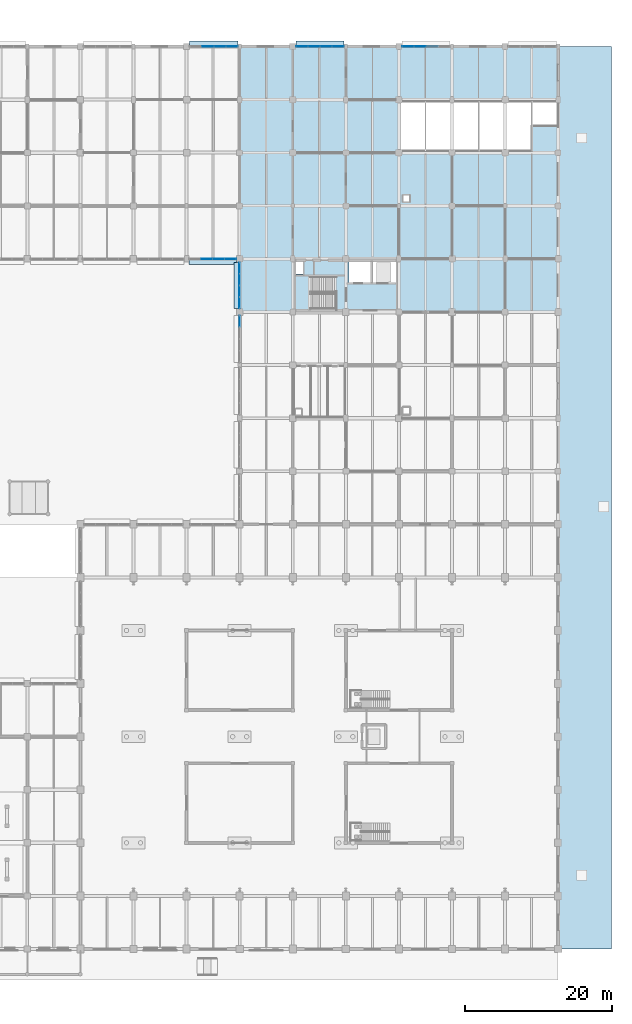
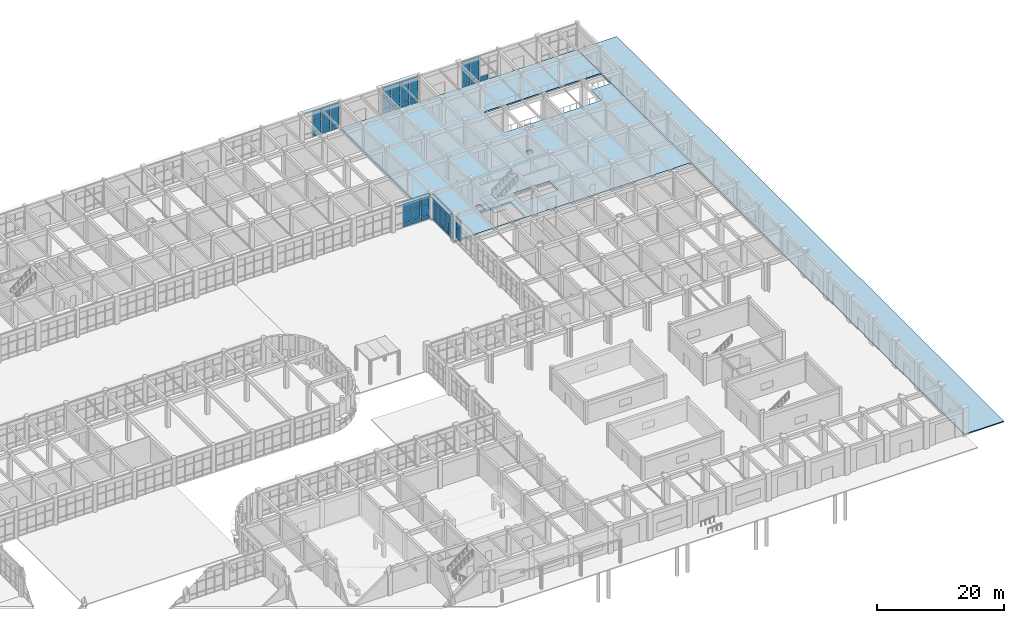
# One storey, part 131 of 160: 55 plates, 3 slabs, 7 elements without a shape of their own.
"""IFC4 building model written with IfcOpenShell, lengths in metres."""

from ifc_helpers import new_model, si_unit, direction, frame, origin, origin_2d, place, context, subcontext, project, spatial, polyline, rectangle, outline, extrude, material, layer, layer_set, type_object, element, aggregate, save


model = new_model("IFC4")

# Units and contexts
model_context = context("Model", 3, precision=1e-05, world=origin(), true_north=direction((0.0, 1.0)))
body_context = subcontext(model_context, "Body", "Model", "MODEL_VIEW")
ifc_project = project(units=[si_unit("LENGTHUNIT", "METRE"), si_unit("AREAUNIT", "SQUARE_METRE"), si_unit("VOLUMEUNIT", "CUBIC_METRE"), si_unit("PLANEANGLEUNIT", "RADIAN"), si_unit("MASSUNIT", "GRAM", prefix="KILO")], contexts=[model_context])

# Site, building, storey
site_placement = place(None, origin())
site = spatial("IfcSite", under=ifc_project, at=site_placement, CompositionType="ELEMENT")
building_placement = place(site_placement, origin())
building = spatial("IfcBuilding", under=site, at=building_placement, Name="Thalmaran Polytechnic", CompositionType="ELEMENT")
storey_placement = place(building_placement, origin())
storey = spatial("IfcBuildingStorey", under=building, at=storey_placement, Name="L00", CompositionType="ELEMENT", Elevation=0.0)

# Plates
ifc_material_1 = material(Name="Anodised aluminium sun-hood eyebrow", Category="aluminium")
ifc_layer_1 = layer(ifc_material_1, 0.0849609375, Name="Anodised aluminium sun-hood eyebrow")
ifc_layer_set_1 = layer_set([ifc_layer_1], Name="Anodised aluminium sun-hood eyebrow")
plate_type_1 = type_object("IfcPlateType", Name="PT-EB01", PredefinedType="SHEET", material=ifc_layer_set_1)
for number, where, z_axis, x_axis, name in (
    (1, (126.092529296875, 122.760009765625, 4.987548828125), (0.0, 0.0, 1.0), (1.0, 0.0, 0.0), "Streamline Sun-Hood Eyebrow L00-CW010"),
    (2, (140.492431640625, 122.760009765625, 4.987548828125), (0.0, 0.0, 1.0), (1.0, 0.0, 0.0), "Streamline Sun-Hood Eyebrow L00-CW011"),
):
    element("IfcPlate", number, at=place(storey_placement, frame(where, z_axis=z_axis, x_axis=x_axis)), inside=storey, type_object=plate_type_1, Name=name, PredefinedType="SHEET", context=body_context, shape_type="SweptSolid", body=[
        extrude(rectangle(XDim=6.52490234375, YDim=0.760009765625, at=origin_2d()), origin(), (0.0, 0.0, 1.0), 0.0849609375),
    ])
plate_1_placement = place(storey_placement, frame((129.239990234375, 90.0048828125, 4.987548828125), z_axis=(0.0, 0.0, 1.0), x_axis=(0.0, 1.0, 0.0)))
element("IfcPlate", 3, at=plate_1_placement, inside=storey, type_object=plate_type_1, Name="Streamline Sun-Hood Eyebrow L00-CW071", PredefinedType="SHEET", context=body_context, shape_type="SweptSolid", body=[
    extrude(rectangle(XDim=6.27001953125, YDim=0.760009765625, at=origin_2d()), origin(), (0.0, 0.0, 1.0), 0.0849609375),
])
plate_2_placement = place(storey_placement, frame((125.929931640625, 93.239990234375, 4.987548828125), z_axis=(0.0, 0.0, 1.0), x_axis=(-1.0, 0.0, 0.0)))
element("IfcPlate", 4, at=plate_2_placement, inside=storey, type_object=plate_type_1, Name="Streamline Sun-Hood Eyebrow L00-CW072", PredefinedType="SHEET", context=body_context, shape_type="SweptSolid", body=[
    extrude(rectangle(XDim=6.419921875, YDim=0.760009765625, at=origin_2d()), origin(), (0.0, 0.0, 1.0), 0.0849609375),
])

# Curtain wall, plates
ifc_material_2 = material(Name="Aluminium 6063-T6", Category="aluminium")
curtain_wall_type = type_object("IfcCurtainWallType", Name="CW-UC01", PredefinedType="USERDEFINED", material=ifc_material_2)
curtain_wall_1_placement = place(storey_placement, origin())
curtain_wall_1 = element("IfcCurtainWall", 5, at=curtain_wall_1_placement, inside=storey, type_object=curtain_wall_type, Name="Curtain Wall CW-L00-010", ObjectType="UNITISED CURTAIN WALL", PredefinedType="USERDEFINED")
ifc_material_3 = material(Name="Solar-control double low-E glass", Category="glass")
ifc_layer_2 = layer(ifc_material_3, 0.035888671875, Name="Solar-control double low-E glass")
ifc_layer_set_2 = layer_set([ifc_layer_2], Name="Solar-control double low-E glass")
plate_type_2 = type_object("IfcPlateType", Name="PT-GL01", PredefinedType="CURTAIN_PANEL", material=ifc_layer_set_2)
plate_3_placement = place(storey_placement, frame((125.27197265625, 122.39990234375, 1.0), z_axis=(0.0, 0.0, 1.0), x_axis=(1.0, 0.0, 0.0)))
plate_3 = element("IfcPlate", 6, at=plate_3_placement, type_object=plate_type_2, Name="CW-L00-010 Vision Panel 2-2", PredefinedType="CURTAIN_PANEL", context=body_context, shape_type="SweptSolid", body=[
    extrude(rectangle(XDim=1.541259765625, YDim=0.035888671875, at=origin_2d()), origin(), (0.0, 0.0, 1.0), 1.985107421875),
])
plate_4_placement = place(storey_placement, frame((125.27197265625, 122.39990234375, 3.06494140625), z_axis=(0.0, 0.0, 1.0), x_axis=(1.0, 0.0, 0.0)))
plate_4 = element("IfcPlate", 7, at=plate_4_placement, type_object=plate_type_2, Name="CW-L00-010 Vision Panel 2-3", PredefinedType="CURTAIN_PANEL", context=body_context, shape_type="SweptSolid", body=[
    extrude(rectangle(XDim=1.541259765625, YDim=0.035888671875, at=origin_2d()), origin(), (0.0, 0.0, 1.0), 1.925048828125),
])
plate_5_placement = place(storey_placement, frame((126.9130859375, 122.39990234375, 1.0), z_axis=(0.0, 0.0, 1.0), x_axis=(1.0, 0.0, 0.0)))
plate_5 = element("IfcPlate", 8, at=plate_5_placement, type_object=plate_type_2, Name="CW-L00-010 Vision Panel 3-2", PredefinedType="CURTAIN_PANEL", context=body_context, shape_type="SweptSolid", body=[
    extrude(rectangle(XDim=1.541259765625, YDim=0.035888671875, at=origin_2d()), origin(), (0.0, 0.0, 1.0), 1.985107421875),
])
plate_6_placement = place(storey_placement, frame((126.9130859375, 122.39990234375, 3.06494140625), z_axis=(0.0, 0.0, 1.0), x_axis=(1.0, 0.0, 0.0)))
plate_6 = element("IfcPlate", 9, at=plate_6_placement, type_object=plate_type_2, Name="CW-L00-010 Vision Panel 3-3", PredefinedType="CURTAIN_PANEL", context=body_context, shape_type="SweptSolid", body=[
    extrude(rectangle(XDim=1.541259765625, YDim=0.035888671875, at=origin_2d()), origin(), (0.0, 0.0, 1.0), 1.925048828125),
])
plate_7_placement = place(storey_placement, frame((128.554443359375, 122.39990234375, 1.0), z_axis=(0.0, 0.0, 1.0), x_axis=(1.0, 0.0, 0.0)))
plate_7 = element("IfcPlate", 10, at=plate_7_placement, type_object=plate_type_2, Name="CW-L00-010 Vision Panel 4-2", PredefinedType="CURTAIN_PANEL", context=body_context, shape_type="SweptSolid", body=[
    extrude(rectangle(XDim=1.541259765625, YDim=0.035888671875, at=origin_2d()), origin(), (0.0, 0.0, 1.0), 1.985107421875),
])
plate_8_placement = place(storey_placement, frame((128.554443359375, 122.39990234375, 3.06494140625), z_axis=(0.0, 0.0, 1.0), x_axis=(1.0, 0.0, 0.0)))
plate_8 = element("IfcPlate", 11, at=plate_8_placement, type_object=plate_type_2, Name="CW-L00-010 Vision Panel 4-3", PredefinedType="CURTAIN_PANEL", context=body_context, shape_type="SweptSolid", body=[
    extrude(rectangle(XDim=1.541259765625, YDim=0.035888671875, at=origin_2d()), origin(), (0.0, 0.0, 1.0), 1.925048828125),
])

curtain_wall_2_placement = place(storey_placement, origin())
curtain_wall_2 = element("IfcCurtainWall", 12, at=curtain_wall_2_placement, inside=storey, type_object=curtain_wall_type, Name="Curtain Wall CW-L00-070", ObjectType="UNITISED CURTAIN WALL", PredefinedType="USERDEFINED")
plate_9_placement = place(storey_placement, frame((129.60009765625, 85.14697265625, 1.0), z_axis=(0.0, 0.0, 1.0), x_axis=(0.0, 1.0, 0.0)))
plate_9 = element("IfcPlate", 13, at=plate_9_placement, type_object=plate_type_2, Name="CW-L00-070 Vision Panel 4-2", PredefinedType="CURTAIN_PANEL", context=body_context, shape_type="SweptSolid", body=[
    extrude(rectangle(XDim=1.506103515625, YDim=0.035888671875, at=origin_2d()), origin(), (0.0, 0.0, 1.0), 1.985107421875),
])
plate_10_placement = place(storey_placement, frame((129.60009765625, 85.14697265625, 3.06494140625), z_axis=(0.0, 0.0, 1.0), x_axis=(0.0, 1.0, 0.0)))
plate_10 = element("IfcPlate", 14, at=plate_10_placement, type_object=plate_type_2, Name="CW-L00-070 Vision Panel 4-3", PredefinedType="CURTAIN_PANEL", context=body_context, shape_type="SweptSolid", body=[
    extrude(rectangle(XDim=1.506103515625, YDim=0.035888671875, at=origin_2d()), origin(), (0.0, 0.0, 1.0), 1.925048828125),
])
aggregate(curtain_wall_2, [plate_9, plate_10])

curtain_wall_3_placement = place(storey_placement, origin())
curtain_wall_3 = element("IfcCurtainWall", 15, at=curtain_wall_3_placement, inside=storey, type_object=curtain_wall_type, Name="Curtain Wall CW-L00-011", ObjectType="UNITISED CURTAIN WALL", PredefinedType="USERDEFINED")
ifc_layer_3 = layer(ifc_material_3, 0.035888671875, Name="Solar-control double low-E glass")
ifc_layer_set_3 = layer_set([ifc_layer_3], Name="Solar-control double low-E glass")
plate_type_3 = type_object("IfcPlateType", Name="PT-GL02", PredefinedType="CURTAIN_PANEL", material=ifc_layer_set_3)
plate_11_placement = place(storey_placement, frame((138.030517578125, 122.39990234375, 1.0), z_axis=(0.0, 0.0, 1.0), x_axis=(1.0, 0.0, 0.0)))
plate_11 = element("IfcPlate", 16, at=plate_11_placement, type_object=plate_type_3, Name="CW-L00-011 Vision Panel 1-2", PredefinedType="CURTAIN_PANEL", context=body_context, shape_type="SweptSolid", body=[
    extrude(rectangle(XDim=1.541259765625, YDim=0.035888671875, at=origin_2d()), origin(), (0.0, 0.0, 1.0), 1.985107421875),
])
plate_12_placement = place(storey_placement, frame((138.030517578125, 122.39990234375, 3.06494140625), z_axis=(0.0, 0.0, 1.0), x_axis=(1.0, 0.0, 0.0)))
plate_12 = element("IfcPlate", 17, at=plate_12_placement, type_object=plate_type_3, Name="CW-L00-011 Vision Panel 1-3", PredefinedType="CURTAIN_PANEL", context=body_context, shape_type="SweptSolid", body=[
    extrude(rectangle(XDim=1.541259765625, YDim=0.035888671875, at=origin_2d()), origin(), (0.0, 0.0, 1.0), 1.925048828125),
])
plate_13_placement = place(storey_placement, frame((139.671875, 122.39990234375, 1.0), z_axis=(0.0, 0.0, 1.0), x_axis=(1.0, 0.0, 0.0)))
plate_13 = element("IfcPlate", 18, at=plate_13_placement, type_object=plate_type_3, Name="CW-L00-011 Vision Panel 2-2", PredefinedType="CURTAIN_PANEL", context=body_context, shape_type="SweptSolid", body=[
    extrude(rectangle(XDim=1.541259765625, YDim=0.035888671875, at=origin_2d()), origin(), (0.0, 0.0, 1.0), 1.985107421875),
])
plate_14_placement = place(storey_placement, frame((139.671875, 122.39990234375, 3.06494140625), z_axis=(0.0, 0.0, 1.0), x_axis=(1.0, 0.0, 0.0)))
plate_14 = element("IfcPlate", 19, at=plate_14_placement, type_object=plate_type_3, Name="CW-L00-011 Vision Panel 2-3", PredefinedType="CURTAIN_PANEL", context=body_context, shape_type="SweptSolid", body=[
    extrude(rectangle(XDim=1.541259765625, YDim=0.035888671875, at=origin_2d()), origin(), (0.0, 0.0, 1.0), 1.925048828125),
])
plate_15_placement = place(storey_placement, frame((141.313232421875, 122.39990234375, 1.0), z_axis=(0.0, 0.0, 1.0), x_axis=(1.0, 0.0, 0.0)))
plate_15 = element("IfcPlate", 20, at=plate_15_placement, type_object=plate_type_3, Name="CW-L00-011 Vision Panel 3-2", PredefinedType="CURTAIN_PANEL", context=body_context, shape_type="SweptSolid", body=[
    extrude(rectangle(XDim=1.541259765625, YDim=0.035888671875, at=origin_2d()), origin(), (0.0, 0.0, 1.0), 1.985107421875),
])
plate_16_placement = place(storey_placement, frame((141.313232421875, 122.39990234375, 3.06494140625), z_axis=(0.0, 0.0, 1.0), x_axis=(1.0, 0.0, 0.0)))
plate_16 = element("IfcPlate", 21, at=plate_16_placement, type_object=plate_type_3, Name="CW-L00-011 Vision Panel 3-3", PredefinedType="CURTAIN_PANEL", context=body_context, shape_type="SweptSolid", body=[
    extrude(rectangle(XDim=1.541259765625, YDim=0.035888671875, at=origin_2d()), origin(), (0.0, 0.0, 1.0), 1.925048828125),
])
plate_17_placement = place(storey_placement, frame((142.954345703125, 122.39990234375, 1.0), z_axis=(0.0, 0.0, 1.0), x_axis=(1.0, 0.0, 0.0)))
plate_17 = element("IfcPlate", 22, at=plate_17_placement, type_object=plate_type_3, Name="CW-L00-011 Vision Panel 4-2", PredefinedType="CURTAIN_PANEL", context=body_context, shape_type="SweptSolid", body=[
    extrude(rectangle(XDim=1.541259765625, YDim=0.035888671875, at=origin_2d()), origin(), (0.0, 0.0, 1.0), 1.985107421875),
])
plate_18_placement = place(storey_placement, frame((142.954345703125, 122.39990234375, 3.06494140625), z_axis=(0.0, 0.0, 1.0), x_axis=(1.0, 0.0, 0.0)))
plate_18 = element("IfcPlate", 23, at=plate_18_placement, type_object=plate_type_3, Name="CW-L00-011 Vision Panel 4-3", PredefinedType="CURTAIN_PANEL", context=body_context, shape_type="SweptSolid", body=[
    extrude(rectangle(XDim=1.541259765625, YDim=0.035888671875, at=origin_2d()), origin(), (0.0, 0.0, 1.0), 1.925048828125),
])

curtain_wall_4_placement = place(storey_placement, origin())
curtain_wall_4 = element("IfcCurtainWall", 24, at=curtain_wall_4_placement, inside=storey, type_object=curtain_wall_type, Name="Curtain Wall CW-L00-071", ObjectType="UNITISED CURTAIN WALL", PredefinedType="USERDEFINED")
plate_19_placement = place(storey_placement, frame((129.60009765625, 87.638671875, 1.0), z_axis=(0.0, 0.0, 1.0), x_axis=(0.0, 1.0, 0.0)))
plate_19 = element("IfcPlate", 25, at=plate_19_placement, type_object=plate_type_3, Name="CW-L00-071 Vision Panel 1-2", PredefinedType="CURTAIN_PANEL", context=body_context, shape_type="SweptSolid", body=[
    extrude(rectangle(XDim=1.4775390625, YDim=0.035888671875, at=origin_2d()), origin(), (0.0, 0.0, 1.0), 1.985107421875),
])
plate_20_placement = place(storey_placement, frame((129.60009765625, 87.638671875, 3.06494140625), z_axis=(0.0, 0.0, 1.0), x_axis=(0.0, 1.0, 0.0)))
plate_20 = element("IfcPlate", 26, at=plate_20_placement, type_object=plate_type_3, Name="CW-L00-071 Vision Panel 1-3", PredefinedType="CURTAIN_PANEL", context=body_context, shape_type="SweptSolid", body=[
    extrude(rectangle(XDim=1.4775390625, YDim=0.035888671875, at=origin_2d()), origin(), (0.0, 0.0, 1.0), 1.925048828125),
])
plate_21_placement = place(storey_placement, frame((129.60009765625, 89.21630859375, 1.0), z_axis=(0.0, 0.0, 1.0), x_axis=(0.0, 1.0, 0.0)))
plate_21 = element("IfcPlate", 27, at=plate_21_placement, type_object=plate_type_3, Name="CW-L00-071 Vision Panel 2-2", PredefinedType="CURTAIN_PANEL", context=body_context, shape_type="SweptSolid", body=[
    extrude(rectangle(XDim=1.4775390625, YDim=0.035888671875, at=origin_2d()), origin(), (0.0, 0.0, 1.0), 1.985107421875),
])
plate_22_placement = place(storey_placement, frame((129.60009765625, 89.21630859375, 3.06494140625), z_axis=(0.0, 0.0, 1.0), x_axis=(0.0, 1.0, 0.0)))
plate_22 = element("IfcPlate", 28, at=plate_22_placement, type_object=plate_type_3, Name="CW-L00-071 Vision Panel 2-3", PredefinedType="CURTAIN_PANEL", context=body_context, shape_type="SweptSolid", body=[
    extrude(rectangle(XDim=1.4775390625, YDim=0.035888671875, at=origin_2d()), origin(), (0.0, 0.0, 1.0), 1.925048828125),
])
plate_23_placement = place(storey_placement, frame((129.60009765625, 90.793701171875, 1.0), z_axis=(0.0, 0.0, 1.0), x_axis=(0.0, 1.0, 0.0)))
plate_23 = element("IfcPlate", 29, at=plate_23_placement, type_object=plate_type_3, Name="CW-L00-071 Vision Panel 3-2", PredefinedType="CURTAIN_PANEL", context=body_context, shape_type="SweptSolid", body=[
    extrude(rectangle(XDim=1.4775390625, YDim=0.035888671875, at=origin_2d()), origin(), (0.0, 0.0, 1.0), 1.985107421875),
])
plate_24_placement = place(storey_placement, frame((129.60009765625, 90.793701171875, 3.06494140625), z_axis=(0.0, 0.0, 1.0), x_axis=(0.0, 1.0, 0.0)))
plate_24 = element("IfcPlate", 30, at=plate_24_placement, type_object=plate_type_3, Name="CW-L00-071 Vision Panel 3-3", PredefinedType="CURTAIN_PANEL", context=body_context, shape_type="SweptSolid", body=[
    extrude(rectangle(XDim=1.4775390625, YDim=0.035888671875, at=origin_2d()), origin(), (0.0, 0.0, 1.0), 1.925048828125),
])
plate_25_placement = place(storey_placement, frame((129.60009765625, 92.371337890625, 1.0), z_axis=(0.0, 0.0, 1.0), x_axis=(0.0, 1.0, 0.0)))
plate_25 = element("IfcPlate", 31, at=plate_25_placement, type_object=plate_type_3, Name="CW-L00-071 Vision Panel 4-2", PredefinedType="CURTAIN_PANEL", context=body_context, shape_type="SweptSolid", body=[
    extrude(rectangle(XDim=1.4775390625, YDim=0.035888671875, at=origin_2d()), origin(), (0.0, 0.0, 1.0), 1.985107421875),
])
plate_26_placement = place(storey_placement, frame((129.60009765625, 92.371337890625, 3.06494140625), z_axis=(0.0, 0.0, 1.0), x_axis=(0.0, 1.0, 0.0)))
plate_26 = element("IfcPlate", 32, at=plate_26_placement, type_object=plate_type_3, Name="CW-L00-071 Vision Panel 4-3", PredefinedType="CURTAIN_PANEL", context=body_context, shape_type="SweptSolid", body=[
    extrude(rectangle(XDim=1.4775390625, YDim=0.035888671875, at=origin_2d()), origin(), (0.0, 0.0, 1.0), 1.925048828125),
])

curtain_wall_5_placement = place(storey_placement, origin())
curtain_wall_5 = element("IfcCurtainWall", 33, at=curtain_wall_5_placement, inside=storey, type_object=curtain_wall_type, Name="Curtain Wall CW-L00-012", ObjectType="UNITISED CURTAIN WALL", PredefinedType="USERDEFINED")
ifc_layer_4 = layer(ifc_material_3, 0.035888671875, Name="Solar-control double low-E glass")
ifc_layer_set_4 = layer_set([ifc_layer_4], Name="Solar-control double low-E glass")
plate_type_4 = type_object("IfcPlateType", Name="PT-GL03", PredefinedType="CURTAIN_PANEL", material=ifc_layer_set_4)
plate_27_placement = place(storey_placement, frame((152.4306640625, 122.39990234375, 1.0), z_axis=(0.0, 0.0, 1.0), x_axis=(1.0, 0.0, 0.0)))
plate_27 = element("IfcPlate", 34, at=plate_27_placement, type_object=plate_type_4, Name="CW-L00-012 Vision Panel 1-2", PredefinedType="CURTAIN_PANEL", context=body_context, shape_type="SweptSolid", body=[
    extrude(rectangle(XDim=1.541259765625, YDim=0.035888671875, at=origin_2d()), origin(), (0.0, 0.0, 1.0), 1.985107421875),
])
plate_28_placement = place(storey_placement, frame((152.4306640625, 122.39990234375, 3.06494140625), z_axis=(0.0, 0.0, 1.0), x_axis=(1.0, 0.0, 0.0)))
plate_28 = element("IfcPlate", 35, at=plate_28_placement, type_object=plate_type_4, Name="CW-L00-012 Vision Panel 1-3", PredefinedType="CURTAIN_PANEL", context=body_context, shape_type="SweptSolid", body=[
    extrude(rectangle(XDim=1.541259765625, YDim=0.035888671875, at=origin_2d()), origin(), (0.0, 0.0, 1.0), 1.925048828125),
])
plate_29_placement = place(storey_placement, frame((154.07177734375, 122.39990234375, 1.0), z_axis=(0.0, 0.0, 1.0), x_axis=(1.0, 0.0, 0.0)))
plate_29 = element("IfcPlate", 36, at=plate_29_placement, type_object=plate_type_4, Name="CW-L00-012 Vision Panel 2-2", PredefinedType="CURTAIN_PANEL", context=body_context, shape_type="SweptSolid", body=[
    extrude(rectangle(XDim=1.541259765625, YDim=0.035888671875, at=origin_2d()), origin(), (0.0, 0.0, 1.0), 1.985107421875),
])
plate_30_placement = place(storey_placement, frame((154.07177734375, 122.39990234375, 3.06494140625), z_axis=(0.0, 0.0, 1.0), x_axis=(1.0, 0.0, 0.0)))
plate_30 = element("IfcPlate", 37, at=plate_30_placement, type_object=plate_type_4, Name="CW-L00-012 Vision Panel 2-3", PredefinedType="CURTAIN_PANEL", context=body_context, shape_type="SweptSolid", body=[
    extrude(rectangle(XDim=1.541259765625, YDim=0.035888671875, at=origin_2d()), origin(), (0.0, 0.0, 1.0), 1.925048828125),
])

curtain_wall_6_placement = place(storey_placement, origin())
curtain_wall_6 = element("IfcCurtainWall", 38, at=curtain_wall_6_placement, inside=storey, type_object=curtain_wall_type, Name="Curtain Wall CW-L00-072", ObjectType="UNITISED CURTAIN WALL", PredefinedType="USERDEFINED")
plate_31_placement = place(storey_placement, frame((128.3525390625, 93.60009765625, 1.0), z_axis=(0.0, 0.0, 1.0), x_axis=(-1.0, 0.0, 0.0)))
plate_31 = element("IfcPlate", 39, at=plate_31_placement, type_object=plate_type_4, Name="CW-L00-072 Vision Panel 1-2", PredefinedType="CURTAIN_PANEL", context=body_context, shape_type="SweptSolid", body=[
    extrude(rectangle(XDim=1.514892578125, YDim=0.035888671875, at=origin_2d()), origin(), (0.0, 0.0, 1.0), 1.985107421875),
])
plate_32_placement = place(storey_placement, frame((128.3525390625, 93.60009765625, 3.06494140625), z_axis=(0.0, 0.0, 1.0), x_axis=(-1.0, 0.0, 0.0)))
plate_32 = element("IfcPlate", 40, at=plate_32_placement, type_object=plate_type_4, Name="CW-L00-072 Vision Panel 1-3", PredefinedType="CURTAIN_PANEL", context=body_context, shape_type="SweptSolid", body=[
    extrude(rectangle(XDim=1.514892578125, YDim=0.035888671875, at=origin_2d()), origin(), (0.0, 0.0, 1.0), 1.925048828125),
])
plate_33_placement = place(storey_placement, frame((126.737548828125, 93.60009765625, 1.0), z_axis=(0.0, 0.0, 1.0), x_axis=(-1.0, 0.0, 0.0)))
plate_33 = element("IfcPlate", 41, at=plate_33_placement, type_object=plate_type_4, Name="CW-L00-072 Vision Panel 2-2", PredefinedType="CURTAIN_PANEL", context=body_context, shape_type="SweptSolid", body=[
    extrude(rectangle(XDim=1.514892578125, YDim=0.035888671875, at=origin_2d()), origin(), (0.0, 0.0, 1.0), 1.985107421875),
])
plate_34_placement = place(storey_placement, frame((126.737548828125, 93.60009765625, 3.06494140625), z_axis=(0.0, 0.0, 1.0), x_axis=(-1.0, 0.0, 0.0)))
plate_34 = element("IfcPlate", 42, at=plate_34_placement, type_object=plate_type_4, Name="CW-L00-072 Vision Panel 2-3", PredefinedType="CURTAIN_PANEL", context=body_context, shape_type="SweptSolid", body=[
    extrude(rectangle(XDim=1.514892578125, YDim=0.035888671875, at=origin_2d()), origin(), (0.0, 0.0, 1.0), 1.925048828125),
])
plate_35_placement = place(storey_placement, frame((125.12255859375, 93.60009765625, 1.0), z_axis=(0.0, 0.0, 1.0), x_axis=(-1.0, 0.0, 0.0)))
plate_35 = element("IfcPlate", 43, at=plate_35_placement, type_object=plate_type_4, Name="CW-L00-072 Vision Panel 3-2", PredefinedType="CURTAIN_PANEL", context=body_context, shape_type="SweptSolid", body=[
    extrude(rectangle(XDim=1.514892578125, YDim=0.035888671875, at=origin_2d()), origin(), (0.0, 0.0, 1.0), 1.985107421875),
])
plate_36_placement = place(storey_placement, frame((125.12255859375, 93.60009765625, 3.06494140625), z_axis=(0.0, 0.0, 1.0), x_axis=(-1.0, 0.0, 0.0)))
plate_36 = element("IfcPlate", 44, at=plate_36_placement, type_object=plate_type_4, Name="CW-L00-072 Vision Panel 3-3", PredefinedType="CURTAIN_PANEL", context=body_context, shape_type="SweptSolid", body=[
    extrude(rectangle(XDim=1.514892578125, YDim=0.035888671875, at=origin_2d()), origin(), (0.0, 0.0, 1.0), 1.925048828125),
])

# Plate
ifc_material_4 = material(Name="Insulated anodised aluminium spandrel", Category="aluminium")
ifc_layer_5 = layer(ifc_material_4, 0.06005859375, Name="Insulated anodised aluminium spandrel")
ifc_layer_set_5 = layer_set([ifc_layer_5], Name="Insulated anodised aluminium spandrel")
plate_type_5 = type_object("IfcPlateType", Name="PT-SP01", PredefinedType="CURTAIN_PANEL", material=ifc_layer_set_5)
plate_37_placement = place(storey_placement, frame((152.4306640625, 122.39990234375, 0.10009765625), z_axis=(0.0, 0.0, 1.0), x_axis=(1.0, 0.0, 0.0)))
plate_37 = element("IfcPlate", 45, at=plate_37_placement, type_object=plate_type_5, Name="CW-L00-012 Spandrel Panel 1-1", PredefinedType="CURTAIN_PANEL", context=body_context, shape_type="SweptSolid", body=[
    extrude(rectangle(XDim=1.541259765625, YDim=0.06005859375, at=origin_2d()), origin(), (0.0, 0.0, 1.0), 0.820068359375),
])

plate_38_placement = place(storey_placement, frame((154.07177734375, 122.39990234375, 0.10009765625), z_axis=(0.0, 0.0, 1.0), x_axis=(1.0, 0.0, 0.0)))
plate_38 = element("IfcPlate", 46, at=plate_38_placement, type_object=plate_type_5, Name="CW-L00-012 Spandrel Panel 2-1", PredefinedType="CURTAIN_PANEL", context=body_context, shape_type="SweptSolid", body=[
    extrude(rectangle(XDim=1.541259765625, YDim=0.06005859375, at=origin_2d()), origin(), (0.0, 0.0, 1.0), 0.820068359375),
])

plate_39_placement = place(storey_placement, frame((155.713134765625, 122.39990234375, 0.10009765625), z_axis=(0.0, 0.0, 1.0), x_axis=(1.0, 0.0, 0.0)))
plate_39 = element("IfcPlate", 47, at=plate_39_placement, type_object=plate_type_5, Name="CW-L00-012 Spandrel Panel 3-1", PredefinedType="CURTAIN_PANEL", context=body_context, shape_type="SweptSolid", body=[
    extrude(rectangle(XDim=1.541259765625, YDim=0.06005859375, at=origin_2d()), origin(), (0.0, 0.0, 1.0), 0.820068359375),
])

aggregate(curtain_wall_5, [plate_37, plate_27, plate_28, plate_38, plate_29, plate_30, plate_39])

plate_40_placement = place(storey_placement, frame((128.3525390625, 93.60009765625, 0.10009765625), z_axis=(0.0, 0.0, 1.0), x_axis=(-1.0, 0.0, 0.0)))
plate_40 = element("IfcPlate", 48, at=plate_40_placement, type_object=plate_type_5, Name="CW-L00-072 Spandrel Panel 1-1", PredefinedType="CURTAIN_PANEL", context=body_context, shape_type="SweptSolid", body=[
    extrude(rectangle(XDim=1.514892578125, YDim=0.06005859375, at=origin_2d()), origin(), (0.0, 0.0, 1.0), 0.820068359375),
])

plate_41_placement = place(storey_placement, frame((126.737548828125, 93.60009765625, 0.10009765625), z_axis=(0.0, 0.0, 1.0), x_axis=(-1.0, 0.0, 0.0)))
plate_41 = element("IfcPlate", 49, at=plate_41_placement, type_object=plate_type_5, Name="CW-L00-072 Spandrel Panel 2-1", PredefinedType="CURTAIN_PANEL", context=body_context, shape_type="SweptSolid", body=[
    extrude(rectangle(XDim=1.514892578125, YDim=0.06005859375, at=origin_2d()), origin(), (0.0, 0.0, 1.0), 0.820068359375),
])

plate_42_placement = place(storey_placement, frame((125.12255859375, 93.60009765625, 0.10009765625), z_axis=(0.0, 0.0, 1.0), x_axis=(-1.0, 0.0, 0.0)))
plate_42 = element("IfcPlate", 50, at=plate_42_placement, type_object=plate_type_5, Name="CW-L00-072 Spandrel Panel 3-1", PredefinedType="CURTAIN_PANEL", context=body_context, shape_type="SweptSolid", body=[
    extrude(rectangle(XDim=1.514892578125, YDim=0.06005859375, at=origin_2d()), origin(), (0.0, 0.0, 1.0), 0.820068359375),
])

aggregate(curtain_wall_6, [plate_40, plate_31, plate_32, plate_41, plate_33, plate_34, plate_42, plate_35, plate_36])

ifc_layer_6 = layer(ifc_material_4, 0.06005859375, Name="Insulated anodised aluminium spandrel")
ifc_layer_set_6 = layer_set([ifc_layer_6], Name="Insulated anodised aluminium spandrel")
plate_type_6 = type_object("IfcPlateType", Name="PT-SP02", PredefinedType="CURTAIN_PANEL", material=ifc_layer_set_6)
plate_43_placement = place(storey_placement, frame((125.27197265625, 122.39990234375, 0.10009765625), z_axis=(0.0, 0.0, 1.0), x_axis=(1.0, 0.0, 0.0)))
plate_43 = element("IfcPlate", 51, at=plate_43_placement, type_object=plate_type_6, Name="CW-L00-010 Spandrel Panel 2-1", PredefinedType="CURTAIN_PANEL", context=body_context, shape_type="SweptSolid", body=[
    extrude(rectangle(XDim=1.541259765625, YDim=0.06005859375, at=origin_2d()), origin(), (0.0, 0.0, 1.0), 0.820068359375),
])

plate_44_placement = place(storey_placement, frame((126.9130859375, 122.39990234375, 0.10009765625), z_axis=(0.0, 0.0, 1.0), x_axis=(1.0, 0.0, 0.0)))
plate_44 = element("IfcPlate", 52, at=plate_44_placement, type_object=plate_type_6, Name="CW-L00-010 Spandrel Panel 3-1", PredefinedType="CURTAIN_PANEL", context=body_context, shape_type="SweptSolid", body=[
    extrude(rectangle(XDim=1.541259765625, YDim=0.06005859375, at=origin_2d()), origin(), (0.0, 0.0, 1.0), 0.820068359375),
])

plate_45_placement = place(storey_placement, frame((128.554443359375, 122.39990234375, 0.10009765625), z_axis=(0.0, 0.0, 1.0), x_axis=(1.0, 0.0, 0.0)))
plate_45 = element("IfcPlate", 53, at=plate_45_placement, type_object=plate_type_6, Name="CW-L00-010 Spandrel Panel 4-1", PredefinedType="CURTAIN_PANEL", context=body_context, shape_type="SweptSolid", body=[
    extrude(rectangle(XDim=1.541259765625, YDim=0.06005859375, at=origin_2d()), origin(), (0.0, 0.0, 1.0), 0.820068359375),
])

aggregate(curtain_wall_1, [plate_43, plate_3, plate_4, plate_44, plate_5, plate_6, plate_45, plate_7, plate_8])

ifc_layer_7 = layer(ifc_material_4, 0.06005859375, Name="Insulated anodised aluminium spandrel")
ifc_layer_set_7 = layer_set([ifc_layer_7], Name="Insulated anodised aluminium spandrel")
plate_type_7 = type_object("IfcPlateType", Name="PT-SP03", PredefinedType="CURTAIN_PANEL", material=ifc_layer_set_7)
plate_46_placement = place(storey_placement, frame((138.030517578125, 122.39990234375, 0.10009765625), z_axis=(0.0, 0.0, 1.0), x_axis=(1.0, 0.0, 0.0)))
plate_46 = element("IfcPlate", 54, at=plate_46_placement, type_object=plate_type_7, Name="CW-L00-011 Spandrel Panel 1-1", PredefinedType="CURTAIN_PANEL", context=body_context, shape_type="SweptSolid", body=[
    extrude(rectangle(XDim=1.541259765625, YDim=0.06005859375, at=origin_2d()), origin(), (0.0, 0.0, 1.0), 0.820068359375),
])

plate_47_placement = place(storey_placement, frame((139.671875, 122.39990234375, 0.10009765625), z_axis=(0.0, 0.0, 1.0), x_axis=(1.0, 0.0, 0.0)))
plate_47 = element("IfcPlate", 55, at=plate_47_placement, type_object=plate_type_7, Name="CW-L00-011 Spandrel Panel 2-1", PredefinedType="CURTAIN_PANEL", context=body_context, shape_type="SweptSolid", body=[
    extrude(rectangle(XDim=1.541259765625, YDim=0.06005859375, at=origin_2d()), origin(), (0.0, 0.0, 1.0), 0.820068359375),
])

plate_48_placement = place(storey_placement, frame((141.313232421875, 122.39990234375, 0.10009765625), z_axis=(0.0, 0.0, 1.0), x_axis=(1.0, 0.0, 0.0)))
plate_48 = element("IfcPlate", 56, at=plate_48_placement, type_object=plate_type_7, Name="CW-L00-011 Spandrel Panel 3-1", PredefinedType="CURTAIN_PANEL", context=body_context, shape_type="SweptSolid", body=[
    extrude(rectangle(XDim=1.541259765625, YDim=0.06005859375, at=origin_2d()), origin(), (0.0, 0.0, 1.0), 0.820068359375),
])

plate_49_placement = place(storey_placement, frame((142.954345703125, 122.39990234375, 0.10009765625), z_axis=(0.0, 0.0, 1.0), x_axis=(1.0, 0.0, 0.0)))
plate_49 = element("IfcPlate", 57, at=plate_49_placement, type_object=plate_type_7, Name="CW-L00-011 Spandrel Panel 4-1", PredefinedType="CURTAIN_PANEL", context=body_context, shape_type="SweptSolid", body=[
    extrude(rectangle(XDim=1.541259765625, YDim=0.06005859375, at=origin_2d()), origin(), (0.0, 0.0, 1.0), 0.820068359375),
])

aggregate(curtain_wall_3, [plate_46, plate_11, plate_12, plate_47, plate_13, plate_14, plate_48, plate_15, plate_16, plate_49, plate_17, plate_18])

plate_50_placement = place(storey_placement, frame((129.60009765625, 87.638671875, 0.10009765625), z_axis=(0.0, 0.0, 1.0), x_axis=(0.0, 1.0, 0.0)))
plate_50 = element("IfcPlate", 58, at=plate_50_placement, type_object=plate_type_7, Name="CW-L00-071 Spandrel Panel 1-1", PredefinedType="CURTAIN_PANEL", context=body_context, shape_type="SweptSolid", body=[
    extrude(rectangle(XDim=1.4775390625, YDim=0.06005859375, at=origin_2d()), origin(), (0.0, 0.0, 1.0), 0.820068359375),
])

plate_51_placement = place(storey_placement, frame((129.60009765625, 89.21630859375, 0.10009765625), z_axis=(0.0, 0.0, 1.0), x_axis=(0.0, 1.0, 0.0)))
plate_51 = element("IfcPlate", 59, at=plate_51_placement, type_object=plate_type_7, Name="CW-L00-071 Spandrel Panel 2-1", PredefinedType="CURTAIN_PANEL", context=body_context, shape_type="SweptSolid", body=[
    extrude(rectangle(XDim=1.4775390625, YDim=0.06005859375, at=origin_2d()), origin(), (0.0, 0.0, 1.0), 0.820068359375),
])

plate_52_placement = place(storey_placement, frame((129.60009765625, 90.793701171875, 0.10009765625), z_axis=(0.0, 0.0, 1.0), x_axis=(0.0, 1.0, 0.0)))
plate_52 = element("IfcPlate", 60, at=plate_52_placement, type_object=plate_type_7, Name="CW-L00-071 Spandrel Panel 3-1", PredefinedType="CURTAIN_PANEL", context=body_context, shape_type="SweptSolid", body=[
    extrude(rectangle(XDim=1.4775390625, YDim=0.06005859375, at=origin_2d()), origin(), (0.0, 0.0, 1.0), 0.820068359375),
])

plate_53_placement = place(storey_placement, frame((129.60009765625, 92.371337890625, 0.10009765625), z_axis=(0.0, 0.0, 1.0), x_axis=(0.0, 1.0, 0.0)))
plate_53 = element("IfcPlate", 61, at=plate_53_placement, type_object=plate_type_7, Name="CW-L00-071 Spandrel Panel 4-1", PredefinedType="CURTAIN_PANEL", context=body_context, shape_type="SweptSolid", body=[
    extrude(rectangle(XDim=1.4775390625, YDim=0.06005859375, at=origin_2d()), origin(), (0.0, 0.0, 1.0), 0.820068359375),
])

aggregate(curtain_wall_4, [plate_50, plate_19, plate_20, plate_51, plate_21, plate_22, plate_52, plate_23, plate_24, plate_53, plate_25, plate_26])

# Slab
ifc_material_5 = material(Name="Concrete C40/50", Category="concrete")
ifc_layer_8 = layer(ifc_material_5, 0.31005859375, Name="Concrete C40/50")
ifc_layer_set_8 = layer_set([ifc_layer_8], Name="Concrete C40/50")
slab_type_1 = type_object("IfcSlabType", Name="SL-FL03", PredefinedType="FLOOR", material=ifc_layer_set_8)
slab_1_placement = place(storey_placement, frame((0.0, 0.0, -0.31005859375)))
element("IfcSlab", 62, at=slab_1_placement, inside=storey, type_object=slab_type_1, Name="V5N L00 Structural Slab", PredefinedType="FLOOR", context=body_context, shape_type="SweptSolid", body=[
    extrude(outline(polyline([(151.199951171875, 122.39990234375), (158.39990234375, 122.39990234375), (165.60009765625, 122.39990234375), (172.800048828125, 122.39990234375), (172.800048828125, 115.199951171875), (172.800048828125, 108.0), (172.800048828125, 100.800048828125), (172.800048828125, 93.60009765625), (172.800048828125, 86.39990234375), (165.60009765625, 86.39990234375), (158.39990234375, 86.39990234375), (151.199951171875, 86.39990234375), (144.0, 86.39990234375), (136.800048828125, 86.39990234375), (129.60009765625, 86.39990234375), (129.60009765625, 93.60009765625), (129.60009765625, 100.800048828125), (129.60009765625, 108.0), (129.60009765625, 115.199951171875), (129.60009765625, 122.39990234375), (136.800048828125, 122.39990234375), (144.0, 122.39990234375), (151.199951171875, 122.39990234375)]), holes=[polyline([(172.699951171875, 111.64990234375), (172.699951171875, 114.85009765625), (151.449951171875, 114.85009765625), (151.449951171875, 111.64990234375), (151.449951171875, 108.35009765625), (169.199951171875, 108.35009765625), (169.199951171875, 111.64990234375), (172.699951171875, 111.64990234375)]), polyline([(152.64990234375, 102.25), (151.75, 102.25), (151.75, 101.35009765625), (152.64990234375, 101.35009765625), (152.64990234375, 102.25)]), polyline([(144.39990234375, 90.39990234375), (150.800048828125, 90.39990234375), (150.800048828125, 93.199951171875), (144.39990234375, 93.199951171875), (144.39990234375, 90.39990234375)]), polyline([(142.679931640625, 91.239990234375), (137.050048828125, 91.239990234375), (137.050048828125, 86.64990234375), (142.679931640625, 86.64990234375), (142.679931640625, 91.239990234375)]), polyline([(138.159912109375, 91.5400390625), (138.159912109375, 93.159912109375), (137.239990234375, 93.159912109375), (137.239990234375, 91.5400390625), (138.159912109375, 91.5400390625)])]), origin(), (0.0, 0.0, 1.0), 0.31005859375),
])

# Stair, slab
stair_type = type_object("IfcStairType", Name="ST-HT54", PredefinedType="HALF_TURN_STAIR", material=ifc_material_5)
stair_placement = place(storey_placement, origin())
stair = element("IfcStair", 63, at=stair_placement, inside=storey, type_object=stair_type, Name="Exit Stair ST5 L00", PredefinedType="HALF_TURN_STAIR")
ifc_layer_9 = layer(ifc_material_5, 0.2099609375, Name="Concrete C40/50")
ifc_layer_set_9 = layer_set([ifc_layer_9], Name="Concrete C40/50")
slab_type_2 = type_object("IfcSlabType", Name="SL-LD01", PredefinedType="LANDING", material=ifc_layer_set_9)
slab_2_placement = place(storey_placement, frame((0.0, 0.0, 2.489990234375)))
slab_2 = element("IfcSlab", 64, at=slab_2_placement, type_object=slab_type_2, Name="ST5 L00 Half Landing", PredefinedType="LANDING", context=body_context, shape_type="SweptSolid", body=[
    extrude(outline(polyline([(137.0400390625, 86.639892578125), (139.199951171875, 86.639892578125), (139.199951171875, 91.340087890625), (137.0400390625, 91.340087890625), (137.0400390625, 86.639892578125)])), origin(), (0.0, 0.0, 1.0), 0.2099609375),
])
aggregate(stair, [slab_2])

# Slab
ifc_layer_10 = layer(ifc_material_5, 0.199951171875, Name="Concrete C40/50")
ifc_layer_set_10 = layer_set([ifc_layer_10], Name="Concrete C40/50")
slab_type_3 = type_object("IfcSlabType", Name="SL-PV01", PredefinedType="BASESLAB", material=ifc_layer_set_10)
slab_3_placement = place(storey_placement, frame((0.0, 0.0, -0.199951171875)))
element("IfcSlab", 65, at=slab_3_placement, inside=storey, type_object=slab_type_3, Name="External Street Paving EAST", PredefinedType="BASESLAB", context=body_context, shape_type="SweptSolid", body=[
    extrude(outline(polyline([(172.800048828125, 0.0), (180.0, 0.0), (180.0, 122.39990234375), (172.800048828125, 122.39990234375), (172.800048828125, 0.0)])), origin(), (0.0, 0.0, 1.0), 0.199951171875),
])

save(model, "model.ifc")
